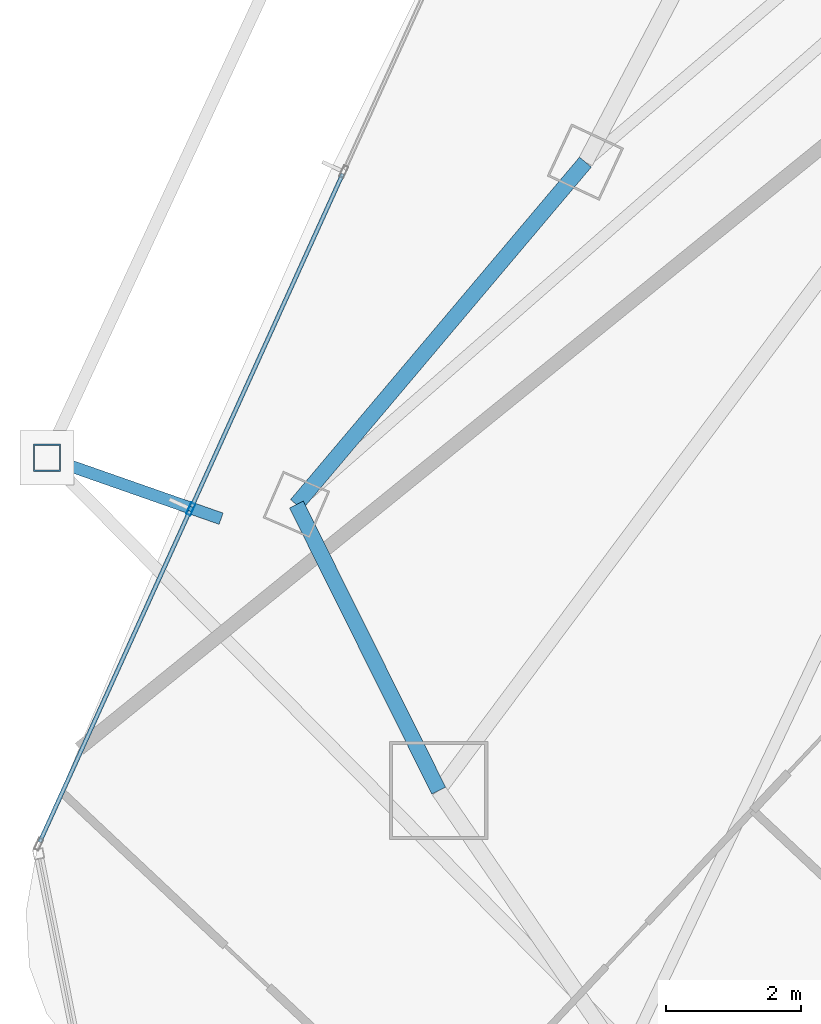
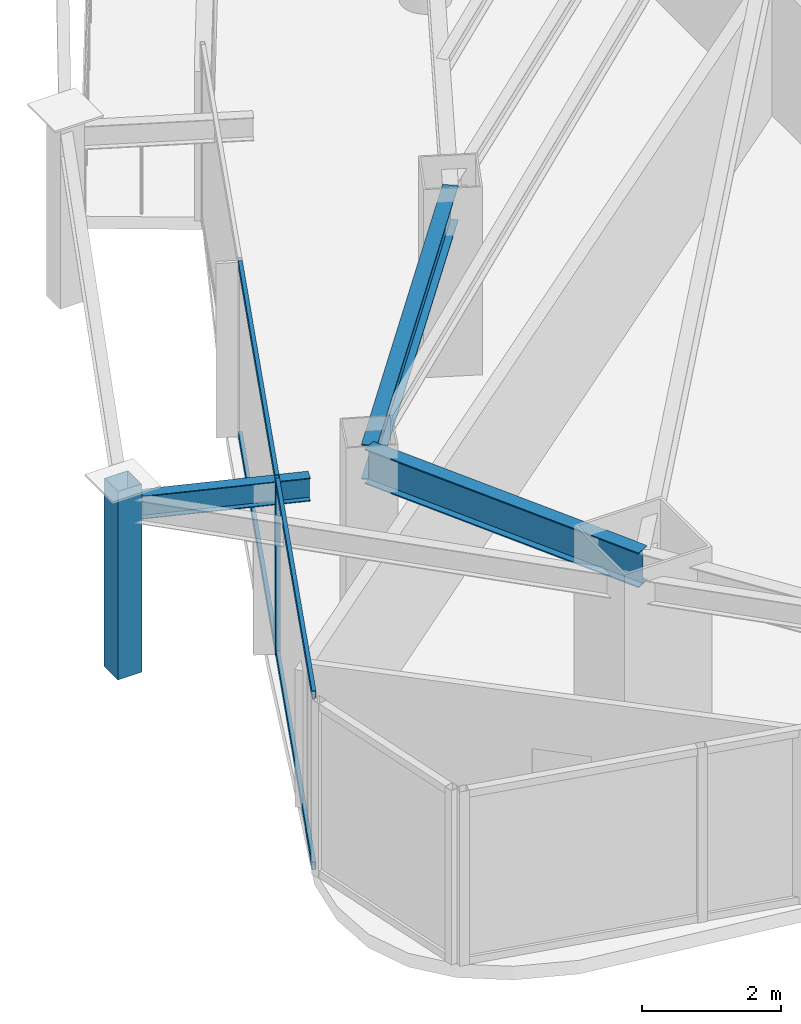
# One storey, part 5 of 29: 6 members, 3 beams, 1 element without a shape of its own.
"""IFC4 building model written with IfcOpenShell, lengths in metres."""

from ifc_helpers import new_model, si_unit, direction, frame, origin, origin_2d, place, context, subcontext, project, spatial, hollow_rectangle, i_section, extrude, material, layer, layer_set, material_profile, profile_set, type_object, element, aggregate, save


model = new_model("IFC4")

# Units and contexts
model_context = context("Model", 3, precision=1e-05, world=origin(), true_north=direction((0.0, 1.0)))
body_context = subcontext(model_context, "Body", "Model", "MODEL_VIEW")
ifc_project = project(units=[si_unit("LENGTHUNIT", "METRE"), si_unit("AREAUNIT", "SQUARE_METRE"), si_unit("VOLUMEUNIT", "CUBIC_METRE"), si_unit("PLANEANGLEUNIT", "RADIAN"), si_unit("MASSUNIT", "GRAM", prefix="KILO")], contexts=[model_context])

# Site, building, storey
site_placement = place(None, origin())
site = spatial("IfcSite", under=ifc_project, at=site_placement, CompositionType="ELEMENT")
building_placement = place(site_placement, origin())
building = spatial("IfcBuilding", under=site, at=building_placement, Name="Orvanel Arch Residences", CompositionType="ELEMENT")
storey_placement = place(building_placement, frame((0.0, 0.0, 167.14990234375)))
storey = spatial("IfcBuildingStorey", under=building, at=storey_placement, Name="L47", CompositionType="ELEMENT", Elevation=167.14990234375)

# Curtain wall, member
ifc_material_1 = material(Name="Bronze-anodised aluminium AA6063-T6", Category="aluminium")
ifc_layer = layer(ifc_material_1, 0.179931640625)
ifc_layer_set = layer_set([ifc_layer], Name="Bronze-anodised aluminium AA6063-T6")
curtain_wall_type = type_object("IfcCurtainWallType", Name="CW3-MID-SYS", PredefinedType="NOTDEFINED", material=ifc_layer_set)
curtain_wall_placement = place(storey_placement, origin())
curtain_wall = element("IfcCurtainWall", 1, at=curtain_wall_placement, inside=storey, type_object=curtain_wall_type, Name="L47 CW3-MID-SYS Unitised Curtain Wall", PredefinedType="NOTDEFINED")
ifc_material_profile_1 = material_profile(ifc_material_1, hollow_rectangle(XDim=0.070068359375, YDim=0.179931640625, WallThickness=0.00439453125, at=origin_2d()), Name="ALU180x70x4.5")
ifc_profile_set_1 = profile_set([ifc_material_profile_1], Name="Bronze-anodised aluminium AA6063-T6")
member_type_1 = type_object("IfcMemberType", Name="MUL-180x70", PredefinedType="MULLION", material=ifc_profile_set_1)
member_1_placement = place(storey_placement, frame((10.532958984375, 14.514404296875, 0.0), z_axis=(0.0, 0.0, 1.0), x_axis=(0.910745569556, -0.412967925551, 0.0)))
member_1 = element("IfcMember", 2, at=member_1_placement, type_object=member_type_1, Name="CW-S3 mullion 3", PredefinedType="MULLION", context=body_context, shape_type="SweptSolid", body=[
    extrude(hollow_rectangle(XDim=0.070068359375, YDim=0.179931640625, WallThickness=0.00439453125, at=origin_2d()), origin(), (0.0, 0.0, 1.0), 3.06005859375),
])

# Beams
ifc_material_2 = material(Name="Structural steel AS/NZS 3679.1 Grade 300 (300 MPa)", Category="steel")
ifc_material_profile_2 = material_profile(ifc_material_2, i_section(OverallWidth=0.177978515625, OverallDepth=0.406005859375, WebThickness=0.0078125, FlangeThickness=0.0126953125, at=origin_2d()), Name="410UB59.7")
ifc_profile_set_2 = profile_set([ifc_material_profile_2], Name="Structural steel AS/NZS 3679.1 Grade 300 (300 MPa)")
beam_type_1 = type_object("IfcBeamType", Name="OB-410UB-EXT", PredefinedType="SPANDREL", material=ifc_profile_set_2)
beam_1_placement = place(storey_placement, frame((10.98193359375, 14.37109375, 2.857177734375), z_axis=(-0.94382065333, 0.33045812798, 0.0), x_axis=(-0.33045812798, -0.94382065333, 0.0)))
element("IfcBeam", 3, at=beam_1_placement, inside=storey, type_object=beam_type_1, Name="L47 Outer Frame Radial Tie Beam 04", PredefinedType="SPANDREL", context=body_context, shape_type="SweptSolid", body=[
    extrude(i_section(OverallWidth=0.177978515625, OverallDepth=0.406005859375, WebThickness=0.0078125, FlangeThickness=0.0126953125, at=origin_2d()), origin(), (0.0, 0.0, 1.0), 2.72607421875),
])
ifc_material_profile_3 = material_profile(ifc_material_2, i_section(OverallWidth=0.22900390625, OverallDepth=0.612060546875, WebThickness=0.011962890625, FlangeThickness=0.01953125, at=origin_2d()), Name="610UB125")
ifc_profile_set_3 = profile_set([ifc_material_profile_3], Name="Structural steel AS/NZS 3679.1 Grade 300 (300 MPa)")
beam_type_2 = type_object("IfcBeamType", Name="SP-610UB", PredefinedType="SPANDREL", material=ifc_profile_set_3)
beam_2_placement = place(storey_placement, frame((16.366943359375, 19.64208984375, 2.754150390625), z_axis=(-0.644950329775, -0.764224490659, 0.0), x_axis=(0.764224490659, -0.644950329775, 0.0)))
element("IfcBeam", 4, at=beam_2_placement, inside=storey, type_object=beam_type_2, Name="L47 Perimeter Spandrel Beam 01", PredefinedType="SPANDREL", context=body_context, shape_type="SweptSolid", body=[
    extrude(i_section(OverallWidth=0.22900390625, OverallDepth=0.612060546875, WebThickness=0.011962890625, FlangeThickness=0.01953125, at=origin_2d()), origin(), (0.0, 0.0, 1.0), 6.623779296875),
])
beam_3_placement = place(storey_placement, frame((12.094970703125, 14.580078125, 2.754150390625), z_axis=(0.44543469453, -0.895314432425, 0.0), x_axis=(0.895314432425, 0.44543469453, 0.0)))
element("IfcBeam", 5, at=beam_3_placement, inside=storey, type_object=beam_type_2, Name="L47 Perimeter Spandrel Beam 02", PredefinedType="SPANDREL", context=body_context, shape_type="SweptSolid", body=[
    extrude(i_section(OverallWidth=0.22900390625, OverallDepth=0.612060546875, WebThickness=0.011962890625, FlangeThickness=0.01953125, at=origin_2d()), origin(), (0.0, 0.0, 1.0), 4.723388671875),
])

# Member
ifc_material_3 = material(Name="Structural steel AS/NZS 1163 C450L0 (Grade 450)", Category="steel")
ifc_material_profile_4 = material_profile(ifc_material_3, hollow_rectangle(XDim=0.39990234375, YDim=0.39990234375, WallThickness=0.01611328125, at=origin_2d()), Name="SHS400x400x16")
ifc_profile_set_4 = profile_set([ifc_material_profile_4], Name="Structural steel AS/NZS 1163 C450L0 (Grade 450)")
member_type_2 = type_object("IfcMemberType", Name="ST-400SHS-EXT", PredefinedType="STRUT", material=ifc_profile_set_4)
member_2_placement = place(storey_placement, frame((8.408935546875, 15.27197265625, 0.0), z_axis=(0.0, 0.0, 1.0), x_axis=(1.0, 0.0, 0.0)))
element("IfcMember", 6, at=member_2_placement, inside=storey, type_object=member_type_2, Name="L47 Outer Perimeter Frame Post 04", PredefinedType="STRUT", context=body_context, shape_type="SweptSolid", body=[
    extrude(hollow_rectangle(XDim=0.39990234375, YDim=0.39990234375, WallThickness=0.01611328125, at=origin_2d()), origin(), (0.0, 0.0, 1.0), 3.300048828125),
])

ifc_material_profile_5 = material_profile(ifc_material_1, hollow_rectangle(XDim=0.06005859375, YDim=0.135009765625, WallThickness=0.00390625, at=origin_2d()), Name="ALU135x60x4")
ifc_profile_set_5 = profile_set([ifc_material_profile_5], Name="Bronze-anodised aluminium AA6063-T6")
member_type_3 = type_object("IfcMemberType", Name="TRN-135x60", PredefinedType="USERDEFINED", material=ifc_profile_set_5)
member_3_placement = place(storey_placement, frame((12.779541015625, 19.46875, 0.030029296875), z_axis=(-0.412979216065, -0.910740449908, 0.0), x_axis=(0.910740449908, -0.412979216065, 0.0)))
member_3 = element("IfcMember", 7, at=member_3_placement, type_object=member_type_3, Name="CW-S3 transom 2.1", ObjectType="TRANSOM", PredefinedType="USERDEFINED", context=body_context, shape_type="SweptSolid", body=[
    extrude(hollow_rectangle(XDim=0.06005859375, YDim=0.135009765625, WallThickness=0.00390625, at=origin_2d()), origin(), (0.0, 0.0, 1.0), 5.405029296875),
])

member_4_placement = place(storey_placement, frame((12.779541015625, 19.46875, 3.030029296875), z_axis=(-0.412979216065, -0.910740449908, 0.0), x_axis=(0.910740449908, -0.412979216065, 0.0)))
member_4 = element("IfcMember", 8, at=member_4_placement, type_object=member_type_3, Name="CW-S3 transom 2.2", ObjectType="TRANSOM", PredefinedType="USERDEFINED", context=body_context, shape_type="SweptSolid", body=[
    extrude(hollow_rectangle(XDim=0.06005859375, YDim=0.135009765625, WallThickness=0.00390625, at=origin_2d()), origin(), (0.0, 0.0, 1.0), 5.405029296875),
])

member_5_placement = place(storey_placement, frame((10.5185546875, 14.482421875, 0.030029296875), z_axis=(-0.412956684537, -0.910750666591, 0.0), x_axis=(0.910750666591, -0.412956684537, 0.0)))
member_5 = element("IfcMember", 9, at=member_5_placement, type_object=member_type_3, Name="CW-S3 transom 3.1", ObjectType="TRANSOM", PredefinedType="USERDEFINED", context=body_context, shape_type="SweptSolid", body=[
    extrude(hollow_rectangle(XDim=0.06005859375, YDim=0.135009765625, WallThickness=0.00390625, at=origin_2d()), origin(), (0.0, 0.0, 1.0), 5.369873046875),
])

member_6_placement = place(storey_placement, frame((10.5185546875, 14.482421875, 3.030029296875), z_axis=(-0.412956684537, -0.910750666591, 0.0), x_axis=(0.910750666591, -0.412956684537, 0.0)))
member_6 = element("IfcMember", 10, at=member_6_placement, type_object=member_type_3, Name="CW-S3 transom 3.2", ObjectType="TRANSOM", PredefinedType="USERDEFINED", context=body_context, shape_type="SweptSolid", body=[
    extrude(hollow_rectangle(XDim=0.06005859375, YDim=0.135009765625, WallThickness=0.00390625, at=origin_2d()), origin(), (0.0, 0.0, 1.0), 5.369873046875),
])

aggregate(curtain_wall, [member_1, member_3, member_4, member_5, member_6])

save(model, "model.ifc")
